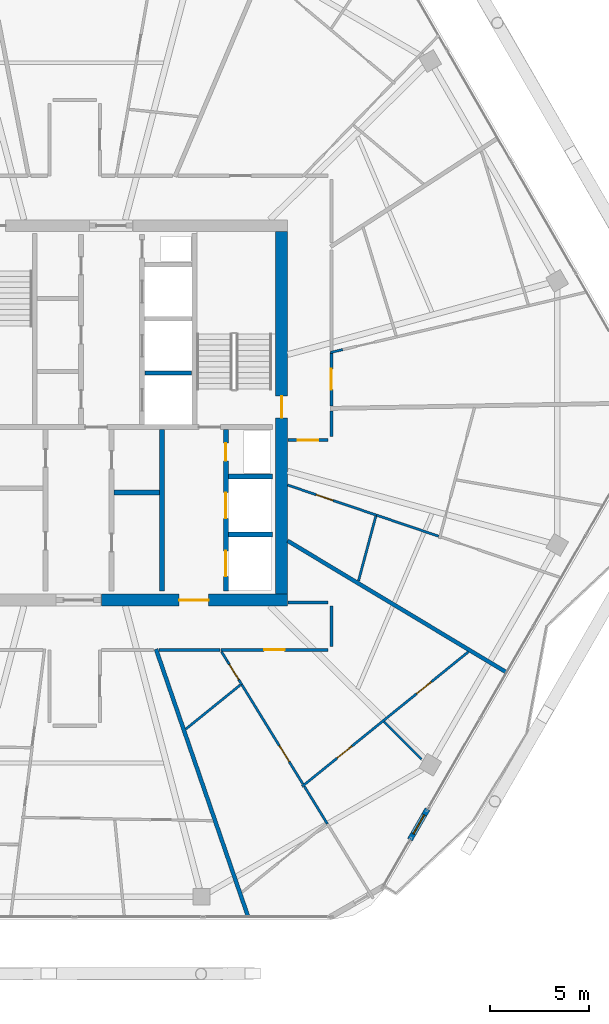
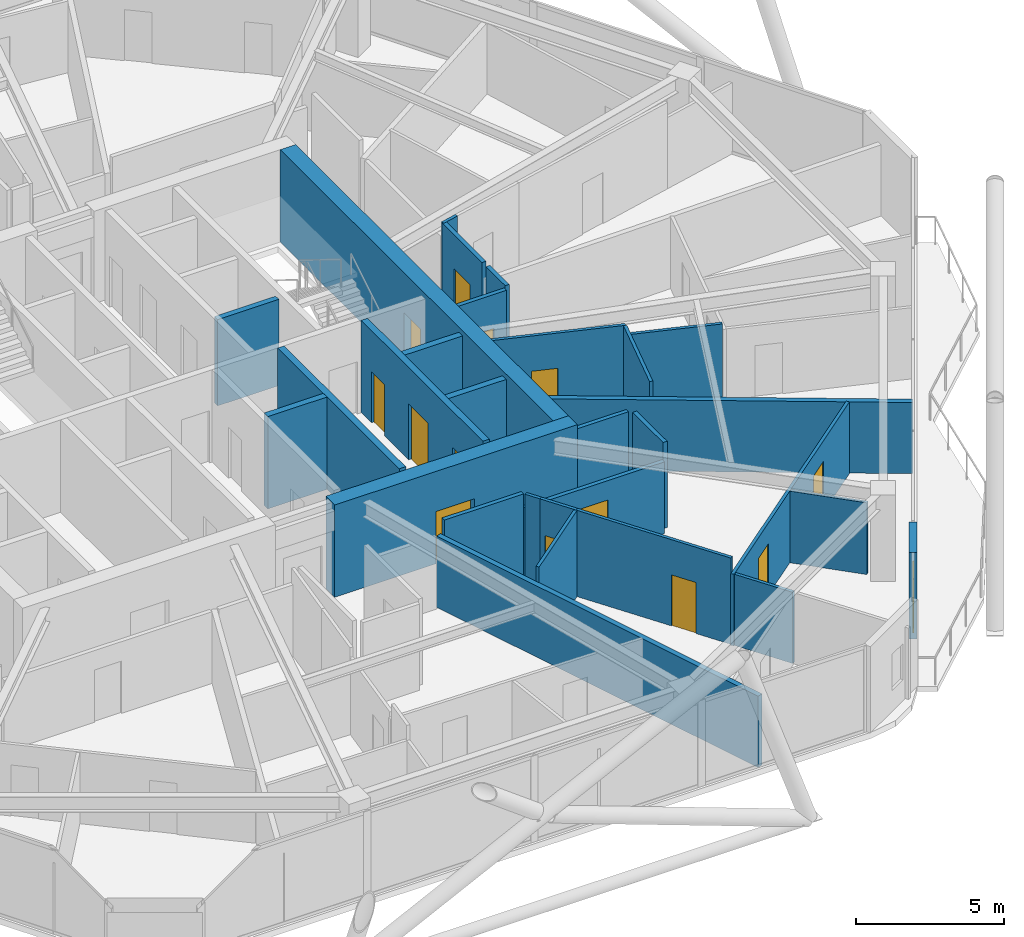
# One storey, part 22 of 29: 29 walls, 14 doors, 14 openings.
"""IFC4 building model written with IfcOpenShell, lengths in metres."""

from ifc_helpers import new_model, si_unit, direction, frame, frame_2d, origin, place, context, subcontext, project, spatial, rectangle, extrude, material, layer, layer_set, type_object, element, fill, save


model = new_model("IFC4")

# Units and contexts
model_context = context("Model", 3, precision=1e-05, world=origin(), true_north=direction((0.0, 1.0)))
body_context = subcontext(model_context, "Body", "Model", "MODEL_VIEW")
ifc_project = project(units=[si_unit("LENGTHUNIT", "METRE"), si_unit("AREAUNIT", "SQUARE_METRE"), si_unit("VOLUMEUNIT", "CUBIC_METRE"), si_unit("PLANEANGLEUNIT", "RADIAN"), si_unit("MASSUNIT", "GRAM", prefix="KILO")], contexts=[model_context])

# Site, building, storey
site_placement = place(None, origin())
site = spatial("IfcSite", under=ifc_project, at=site_placement, CompositionType="ELEMENT")
building_placement = place(site_placement, origin())
building = spatial("IfcBuilding", under=site, at=building_placement, Name="Zuhravey Tower", CompositionType="ELEMENT")
storey_placement = place(building_placement, frame((0.0, 0.0, 292.0)))
storey = spatial("IfcBuildingStorey", under=building, at=storey_placement, Name="L74", CompositionType="ELEMENT", Elevation=292.0)

# Wall, opening, door
ifc_material_1 = material(Name="Concrete C50/60", Category="concrete")
ifc_layer_1 = layer(ifc_material_1, 0.60009765625)
ifc_layer_set_1 = layer_set([ifc_layer_1], Name="Concrete C50/60")
wall_type_1 = type_object("IfcWallType", Name="Core Shear Wall 600", PredefinedType="SHEAR", material=ifc_layer_set_1)
wall_1_placement = place(storey_placement, frame((37.35009765625, 22.5, 0.0), z_axis=(0.0, 0.0, 1.0), x_axis=(1.0, 0.0, 0.0)))
wall_1 = element("IfcWall", 1, at=wall_1_placement, inside=storey, type_object=wall_type_1, Name="L74 South-East Core Shear Wall CW60", PredefinedType="SHEAR", context=body_context, shape_type="SweptSolid", body=[
    extrude(rectangle(XDim=9.449951171875, YDim=0.60009765625, at=frame_2d((4.72509765625, 0.0))), origin(), (0.0, 0.0, 1.0), 3.800048828125),
])
opening_1_placement = place(wall_1_placement, frame((3.949951171875, 0.0, 0.0)))
opening_1 = element("IfcOpeningElement", 2, at=opening_1_placement, cuts=wall_1, Name="Opening FFD1", PredefinedType="OPENING", context=body_context, shape_type="SweptSolid", body=[
    extrude(rectangle(XDim=1.5, YDim=2.14990234375, at=frame_2d((0.75, 1.074951171875))), frame((0.0, 0.31201171875, 0.0), z_axis=(0.0, -1.0, 0.0), x_axis=(1.0, 0.0, 0.0)), (0.0, 0.0, 1.0), 0.6240234375),
])
ifc_material_2 = material(Name="Galvanised fire-rated steel leaf", Category="steel")
door_type_1 = type_object("IfcDoorType", Name="Firefighting Lobby Double Door 1500x2150", OperationType="DOUBLE_DOOR_SINGLE_SWING", PredefinedType="DOOR", material=ifc_material_2)
door_1_placement = place(opening_1_placement, origin())
door_1 = element("IfcDoor", 3, at=door_1_placement, inside=storey, type_object=door_type_1, Name="L74 Firefighting Lobby East Door", OperationType="DOUBLE_DOOR_SINGLE_SWING", OverallHeight=2.14990234375, OverallWidth=1.5, PredefinedType="DOOR", context=body_context, shape_type="SweptSolid", body=[
    extrude(rectangle(XDim=1.5, YDim=2.14990234375, at=frame_2d((0.75, 1.074951171875))), frame((0.0, 0.02490234375, 0.0), z_axis=(0.0, -1.0, 0.0), x_axis=(1.0, 0.0, 0.0)), (0.0, 0.0, 1.0), 0.050048828125),
])
fill(opening_1, door_1)

wall_2_placement = place(storey_placement, frame((46.5, 22.800048828125, 0.0), z_axis=(0.0, 0.0, 1.0), x_axis=(0.0, 1.0, 0.0)))
wall_2 = element("IfcWall", 4, at=wall_2_placement, inside=storey, type_object=wall_type_1, Name="L74 East Core Shear Wall CW60", PredefinedType="SHEAR", context=body_context, shape_type="SweptSolid", body=[
    extrude(rectangle(XDim=18.39990234375, YDim=0.60009765625, at=frame_2d((9.199951171875, 0.0))), origin(), (0.0, 0.0, 1.0), 3.800048828125),
])
opening_2_placement = place(wall_2_placement, frame((8.949951171875, 0.0, 0.0)))
opening_2 = element("IfcOpeningElement", 5, at=opening_2_placement, cuts=wall_2, Name="Opening STD1", PredefinedType="OPENING", context=body_context, shape_type="SweptSolid", body=[
    extrude(rectangle(XDim=1.10009765625, YDim=2.14990234375, at=frame_2d((0.550048828125, 1.074951171875))), frame((0.0, 0.31201171875, 0.0), z_axis=(0.0, -1.0, 0.0), x_axis=(1.0, 0.0, 0.0)), (0.0, 0.0, 1.0), 0.6240234375),
])
door_type_2 = type_object("IfcDoorType", Name="Protected Stair Fire Door 1100x2150", OperationType="NOTDEFINED", PredefinedType="USERDEFINED", material=ifc_material_2)
door_2_placement = place(opening_2_placement, origin())
door_2 = element("IfcDoor", 6, at=door_2_placement, inside=storey, type_object=door_type_2, Name="L74 Stair ST2 Door", ObjectType="EXITDOOR", OperationType="SINGLE_SWING_LEFT", OverallHeight=2.14990234375, OverallWidth=1.10009765625, PredefinedType="USERDEFINED", context=body_context, shape_type="SweptSolid", body=[
    extrude(rectangle(XDim=1.10009765625, YDim=2.14990234375, at=frame_2d((0.550048828125, 1.074951171875))), frame((0.0, 0.02490234375, 0.0), z_axis=(0.0, -1.0, 0.0), x_axis=(1.0, 0.0, 0.0)), (0.0, 0.0, 1.0), 0.050048828125),
])
fill(opening_2, door_2)

ifc_material_3 = material(Name="Gypsum fire-rated stud partition")
ifc_layer_2 = layer(ifc_material_3, 0.159912109375)
ifc_layer_set_2 = layer_set([ifc_layer_2], Name="Gypsum fire-rated stud partition")
wall_type_2 = type_object("IfcWallType", Name="Corridor Fire Partition 160", PredefinedType="PARTITIONING", material=ifc_layer_set_2)
wall_3_placement = place(storey_placement, frame((43.42138671875, 19.969970703125, 0.0), z_axis=(0.0, 0.0, 1.0), x_axis=(1.0, 0.0, 0.0)))
wall_3 = element("IfcWall", 7, at=wall_3_placement, inside=storey, type_object=wall_type_2, Name="L74 IW16 Partition 042", PredefinedType="PARTITIONING", context=body_context, shape_type="SweptSolid", body=[
    extrude(rectangle(XDim=5.4287109375, YDim=0.159912109375, at=frame_2d((2.71435546875, 0.0))), origin(), (0.0, 0.0, 1.0), 2.949951171875),
])
opening_3_placement = place(wall_3_placement, frame((2.189208984375, 0.0, 0.0)))
opening_3 = element("IfcOpeningElement", 8, at=opening_3_placement, cuts=wall_3, Name="Opening APD1", PredefinedType="OPENING", context=body_context, shape_type="SweptSolid", body=[
    extrude(rectangle(XDim=1.050048828125, YDim=2.14990234375, at=frame_2d((0.52490234375, 1.074951171875))), frame((0.0, 0.092041015625, 0.0), z_axis=(0.0, -1.0, 0.0), x_axis=(1.0, 0.0, 0.0)), (0.0, 0.0, 1.0), 0.183837890625),
])
ifc_material_4 = material(Name="Solid-core oak fire-rated leaf")
door_type_3 = type_object("IfcDoorType", Name="Apartment Entrance Fire Door 1050x2150", OperationType="NOTDEFINED", PredefinedType="DOOR", material=ifc_material_4)
door_3_placement = place(opening_3_placement, frame((1.050048828125, 0.0, 0.0), z_axis=(0.0, 0.0, 1.0), x_axis=(-1.0, 0.0, 0.0)))
door_3 = element("IfcDoor", 9, at=door_3_placement, inside=storey, type_object=door_type_3, Name="L74 Door 042.1", OperationType="SINGLE_SWING_RIGHT", OverallHeight=2.14990234375, OverallWidth=1.050048828125, PredefinedType="DOOR", context=body_context, shape_type="SweptSolid", body=[
    extrude(rectangle(XDim=1.050048828125, YDim=2.14990234375, at=frame_2d((0.52490234375, 1.074951171875))), frame((0.0, 0.02490234375, 0.0), z_axis=(0.0, -1.0, 0.0), x_axis=(1.0, 0.0, 0.0)), (0.0, 0.0, 1.0), 0.050048828125),
])
fill(opening_3, door_3)

wall_4_placement = place(storey_placement, frame((46.820068359375, 30.6201171875, 0.0), z_axis=(0.0, 0.0, 1.0), x_axis=(1.0, 0.0, 0.0)))
wall_4 = element("IfcWall", 10, at=wall_4_placement, inside=storey, type_object=wall_type_2, Name="L74 IW16 Partition 047", PredefinedType="PARTITIONING", context=body_context, shape_type="SweptSolid", body=[
    extrude(rectangle(XDim=2.030029296875, YDim=0.159912109375, at=frame_2d((1.01513671875, 0.0))), origin(), (0.0, 0.0, 1.0), 3.550048828125),
])
opening_4_placement = place(wall_4_placement, frame((0.489990234375, 0.0, 0.0)))
opening_4 = element("IfcOpeningElement", 11, at=opening_4_placement, cuts=wall_4, Name="Opening APD1", PredefinedType="OPENING", context=body_context, shape_type="SweptSolid", body=[
    extrude(rectangle(XDim=1.050048828125, YDim=2.14990234375, at=frame_2d((0.52490234375, 1.074951171875))), frame((0.0, 0.092041015625, 0.0), z_axis=(0.0, -1.0, 0.0), x_axis=(1.0, 0.0, 0.0)), (0.0, 0.0, 1.0), 0.183837890625),
])
door_4_placement = place(opening_4_placement, frame((1.050048828125, 0.0, 0.0), z_axis=(0.0, 0.0, 1.0), x_axis=(-1.0, 0.0, 0.0)))
door_4 = element("IfcDoor", 12, at=door_4_placement, inside=storey, type_object=door_type_3, Name="L74 Door 047.1", OperationType="SINGLE_SWING_LEFT", OverallHeight=2.14990234375, OverallWidth=1.050048828125, PredefinedType="DOOR", context=body_context, shape_type="SweptSolid", body=[
    extrude(rectangle(XDim=1.050048828125, YDim=2.14990234375, at=frame_2d((0.52490234375, 1.074951171875))), frame((0.0, 0.02490234375, 0.0), z_axis=(0.0, -1.0, 0.0), x_axis=(1.0, 0.0, 0.0)), (0.0, 0.0, 1.0), 0.050048828125),
])
fill(opening_4, door_4)

wall_5_placement = place(storey_placement, frame((49.030029296875, 32.361083984375, 0.0), z_axis=(0.0, 0.0, 1.0), x_axis=(0.0, 1.0, 0.0)))
wall_5 = element("IfcWall", 13, at=wall_5_placement, inside=storey, type_object=wall_type_2, Name="L74 IW16 Partition 051", PredefinedType="PARTITIONING", context=body_context, shape_type="SweptSolid", body=[
    extrude(rectangle(XDim=2.693603515625, YDim=0.159912109375, at=frame_2d((1.3466796875, 0.0))), origin(), (0.0, 0.0, 1.0), 3.550048828125),
])
opening_5_placement = place(wall_5_placement, frame((0.82177734375, 0.0, 0.0)))
opening_5 = element("IfcOpeningElement", 14, at=opening_5_placement, cuts=wall_5, Name="Opening APD1", PredefinedType="OPENING", context=body_context, shape_type="SweptSolid", body=[
    extrude(rectangle(XDim=1.050048828125, YDim=2.14990234375, at=frame_2d((0.52490234375, 1.074951171875))), frame((0.0, 0.092041015625, 0.0), z_axis=(0.0, -1.0, 0.0), x_axis=(1.0, 0.0, 0.0)), (0.0, 0.0, 1.0), 0.183837890625),
])
door_5_placement = place(opening_5_placement, frame((1.050048828125, 0.0, 0.0), z_axis=(0.0, 0.0, 1.0), x_axis=(-1.0, 0.0, 0.0)))
door_5 = element("IfcDoor", 15, at=door_5_placement, inside=storey, type_object=door_type_3, Name="L74 Door 051.1", OperationType="SINGLE_SWING_LEFT", OverallHeight=2.14990234375, OverallWidth=1.050048828125, PredefinedType="DOOR", context=body_context, shape_type="SweptSolid", body=[
    extrude(rectangle(XDim=1.050048828125, YDim=2.14990234375, at=frame_2d((0.52490234375, 1.074951171875))), frame((0.0, 0.02490234375, 0.0), z_axis=(0.0, -1.0, 0.0), x_axis=(1.0, 0.0, 0.0)), (0.0, 0.0, 1.0), 0.050048828125),
])
fill(opening_5, door_5)

# Walls
wall_6_placement = place(storey_placement, frame((49.030029296875, 20.14990234375, 0.0), z_axis=(0.0, 0.0, 1.0), x_axis=(0.0, 1.0, 0.0)))
element("IfcWall", 16, at=wall_6_placement, inside=storey, type_object=wall_type_2, Name="L74 IW16 Partition 119", PredefinedType="PARTITIONING", context=body_context, shape_type="SweptSolid", body=[
    extrude(rectangle(XDim=2.050048828125, YDim=0.159912109375, at=frame_2d((1.02490234375, 0.0))), origin(), (0.0, 0.0, 1.0), 3.550048828125),
])
wall_7_placement = place(storey_placement, frame((48.85009765625, 22.3798828125, 0.0), z_axis=(0.0, 0.0, 1.0), x_axis=(-1.0, 0.0, 0.0)))
element("IfcWall", 17, at=wall_7_placement, inside=storey, type_object=wall_type_2, Name="L74 IW16 Partition 120", PredefinedType="PARTITIONING", context=body_context, shape_type="SweptSolid", body=[
    extrude(rectangle(XDim=2.030029296875, YDim=0.159912109375, at=frame_2d((1.01513671875, 0.0))), origin(), (0.0, 0.0, 1.0), 3.550048828125),
])
wall_8_placement = place(storey_placement, frame((40.28125, 19.969970703125, 0.0), z_axis=(0.0, 0.0, 1.0), x_axis=(1.0, 0.0, 0.0)))
element("IfcWall", 18, at=wall_8_placement, inside=storey, type_object=wall_type_2, Name="L74 IW16 Partition 121", PredefinedType="PARTITIONING", context=body_context, shape_type="SweptSolid", body=[
    extrude(rectangle(XDim=3.09326171875, YDim=0.159912109375, at=frame_2d((1.546630859375, 0.0))), origin(), (0.0, 0.0, 1.0), 3.550048828125),
])
wall_9_placement = place(storey_placement, frame((49.030029296875, 30.800048828125, 0.0), z_axis=(0.0, 0.0, 1.0), x_axis=(0.0, 1.0, 0.0)))
element("IfcWall", 19, at=wall_9_placement, inside=storey, type_object=wall_type_2, Name="L74 IW16 Partition 122", PredefinedType="PARTITIONING", context=body_context, shape_type="SweptSolid", body=[
    extrude(rectangle(XDim=1.293701171875, YDim=0.159912109375, at=frame_2d((0.64697265625, 0.0))), origin(), (0.0, 0.0, 1.0), 3.550048828125),
])

# Wall, opening, door
ifc_material_5 = material(Name="Precast concrete C40/50", Category="concrete")
ifc_layer_3 = layer(ifc_material_5, 0.280029296875)
ifc_layer_set_3 = layer_set([ifc_layer_3], Name="Precast concrete C40/50")
wall_type_3 = type_object("IfcWallType", Name="Crown Architectural Wall 280", PredefinedType="SOLIDWALL", material=ifc_layer_set_3)
wall_10_placement = place(storey_placement, frame((53.909912109375, 11.8935546875, 0.0), z_axis=(0.0, 0.0, 1.0), x_axis=(-0.500041240653, -0.866001592173, 0.0)))
wall_10 = element("IfcWall", 20, at=wall_10_placement, inside=storey, type_object=wall_type_3, Name="L74 Face 6 Facade Pier EW28-1", PredefinedType="SOLIDWALL", context=body_context, shape_type="SweptSolid", body=[
    extrude(rectangle(XDim=1.789794921875, YDim=0.280029296875, at=frame_2d((0.89501953125, 0.0))), origin(), (0.0, 0.0, 1.0), 3.550048828125),
])
opening_6_placement = place(wall_10_placement, frame((0.344970703125, 0.0, 0.0)))
opening_6 = element("IfcOpeningElement", 21, at=opening_6_placement, cuts=wall_10, Name="Opening BLD1", PredefinedType="OPENING", context=body_context, shape_type="SweptSolid", body=[
    extrude(rectangle(XDim=1.10009765625, YDim=2.199951171875, at=frame_2d((0.550048828125, 1.10009765625))), frame((0.0, 0.152099609375, 0.0), z_axis=(0.0, -1.0, 0.0), x_axis=(1.0, 0.0, 0.0)), (0.0, 0.0, 1.0), 0.303955078125),
])
ifc_material_6 = material(Name="Thermally broken aluminium and low-E glass", Category="aluminium")
door_type_4 = type_object("IfcDoorType", Name="Balcony & Sky-Tray Glazed Door 1100x2200", OperationType="NOTDEFINED", PredefinedType="DOOR", material=ifc_material_6)
door_6_placement = place(opening_6_placement, frame((1.10009765625, 0.0, 0.0), z_axis=(0.0, 0.0, 1.0), x_axis=(-1.0, 0.0, 0.0)))
door_6 = element("IfcDoor", 22, at=door_6_placement, inside=storey, type_object=door_type_4, Name="L74 Face 6 Wave Balcony Door", OperationType="SINGLE_SWING_LEFT", OverallHeight=2.199951171875, OverallWidth=1.10009765625, PredefinedType="DOOR", context=body_context, shape_type="SweptSolid", body=[
    extrude(rectangle(XDim=1.10009765625, YDim=2.199951171875, at=frame_2d((0.550048828125, 1.10009765625))), frame((0.0, 0.02490234375, 0.0), z_axis=(0.0, -1.0, 0.0), x_axis=(1.0, 0.0, 0.0)), (0.0, 0.0, 1.0), 0.050048828125),
])
fill(opening_6, door_6)

# Walls
ifc_layer_4 = layer(ifc_material_1, 0.25)
ifc_layer_set_4 = layer_set([ifc_layer_4], Name="Concrete C50/60")
wall_type_4 = type_object("IfcWallType", Name="Firefighting Shaft & Stair Wall 250", PredefinedType="SOLIDWALL", material=ifc_layer_set_4)
wall_11_placement = place(storey_placement, frame((38.0, 27.949951171875, 0.0), z_axis=(0.0, 0.0, 1.0), x_axis=(1.0, 0.0, 0.0)))
element("IfcWall", 23, at=wall_11_placement, inside=storey, type_object=wall_type_4, Name="L74 FW25 Shaft Wall 014", PredefinedType="SOLIDWALL", context=body_context, shape_type="SweptSolid", body=[
    extrude(rectangle(XDim=2.300048828125, YDim=0.25, at=frame_2d((1.14990234375, 0.0))), origin(), (0.0, 0.0, 1.0), 3.800048828125),
])
wall_12_placement = place(storey_placement, frame((40.425048828125, 22.949951171875, 0.0), z_axis=(0.0, 0.0, 1.0), x_axis=(0.0, 1.0, 0.0)))
element("IfcWall", 24, at=wall_12_placement, inside=storey, type_object=wall_type_4, Name="L74 FW25 Shaft Wall 016", PredefinedType="SOLIDWALL", context=body_context, shape_type="SweptSolid", body=[
    extrude(rectangle(XDim=8.199951171875, YDim=0.25, at=frame_2d((4.10009765625, 0.0))), origin(), (0.0, 0.0, 1.0), 3.800048828125),
])
for number, where, z_axis, x_axis, name in (
    (25, (43.800048828125, 25.824951171875, 0.0), (0.0, 0.0, 1.0), (1.0, 0.0, 0.0), "L74 FW25 Shaft Wall 017"),
    (26, (43.800048828125, 28.77490234375, 0.0), (0.0, 0.0, 1.0), (1.0, 0.0, 0.0), "L74 FW25 Shaft Wall 018"),
):
    element("IfcWall", number, at=place(storey_placement, frame(where, z_axis=z_axis, x_axis=x_axis)), inside=storey, type_object=wall_type_4, Name=name, PredefinedType="SOLIDWALL", context=body_context, shape_type="SweptSolid", body=[
        extrude(rectangle(XDim=2.25, YDim=0.25, at=frame_2d((1.125, 0.0))), origin(), (0.0, 0.0, 1.0), 3.800048828125),
    ])

# Wall, openings, doors
wall_13_placement = place(storey_placement, frame((43.675048828125, 22.949951171875, 0.0), z_axis=(0.0, 0.0, 1.0), x_axis=(0.0, 1.0, 0.0)))
wall_13 = element("IfcWall", 27, at=wall_13_placement, inside=storey, type_object=wall_type_4, Name="L74 FW25 Shaft Wall 019", PredefinedType="SOLIDWALL", context=body_context, shape_type="SweptSolid", body=[
    extrude(rectangle(XDim=8.199951171875, YDim=0.25, at=frame_2d((4.10009765625, 0.0))), origin(), (0.0, 0.0, 1.0), 3.800048828125),
])
opening_7_placement = place(wall_13_placement, frame((0.75, 0.0, 0.0)))
opening_7 = element("IfcOpeningElement", 28, at=opening_7_placement, cuts=wall_13, Name="Opening LD2", PredefinedType="OPENING", context=body_context, shape_type="SweptSolid", body=[
    extrude(rectangle(XDim=1.300048828125, YDim=2.300048828125, at=frame_2d((0.64990234375, 1.14990234375))), frame((0.0, 0.136962890625, 0.0), z_axis=(0.0, -1.0, 0.0), x_axis=(1.0, 0.0, 0.0)), (0.0, 0.0, 1.0), 0.27392578125),
])
opening_8_placement = place(wall_13_placement, frame((3.699951171875, 0.0, 0.0)))
opening_8 = element("IfcOpeningElement", 29, at=opening_8_placement, cuts=wall_13, Name="Opening LD2", PredefinedType="OPENING", context=body_context, shape_type="SweptSolid", body=[
    extrude(rectangle(XDim=1.300048828125, YDim=2.300048828125, at=frame_2d((0.64990234375, 1.14990234375))), frame((0.0, 0.136962890625, 0.0), z_axis=(0.0, -1.0, 0.0), x_axis=(1.0, 0.0, 0.0)), (0.0, 0.0, 1.0), 0.27392578125),
])
opening_9_placement = place(wall_13_placement, frame((6.6201171875, 0.0, 0.0)))
opening_9 = element("IfcOpeningElement", 30, at=opening_9_placement, cuts=wall_13, Name="Opening RSD1", PredefinedType="OPENING", context=body_context, shape_type="SweptSolid", body=[
    extrude(rectangle(XDim=0.89990234375, YDim=2.10009765625, at=frame_2d((0.449951171875, 1.050048828125))), frame((0.0, 0.136962890625, 0.0), z_axis=(0.0, -1.0, 0.0), x_axis=(1.0, 0.0, 0.0)), (0.0, 0.0, 1.0), 0.27392578125),
])
ifc_material_7 = material(Name="Brushed stainless steel", Category="steel")
door_type_5 = type_object("IfcDoorType", Name="Freight & Stretcher Lift Sliding Door 1300x2300", OperationType="DOUBLE_DOOR_SLIDING", PredefinedType="DOOR", material=ifc_material_7)
door_7_placement = place(opening_7_placement, origin())
door_7 = element("IfcDoor", 31, at=door_7_placement, inside=storey, type_object=door_type_5, Name="L74 Lift FF2 Landing Door", OperationType="DOUBLE_DOOR_SLIDING", OverallHeight=2.300048828125, OverallWidth=1.300048828125, PredefinedType="DOOR", context=body_context, shape_type="SweptSolid", body=[
    extrude(rectangle(XDim=1.300048828125, YDim=2.300048828125, at=frame_2d((0.64990234375, 1.14990234375))), frame((0.0, 0.02490234375, 0.0), z_axis=(0.0, -1.0, 0.0), x_axis=(1.0, 0.0, 0.0)), (0.0, 0.0, 1.0), 0.050048828125),
])
fill(opening_7, door_7)
door_8_placement = place(opening_8_placement, origin())
door_8 = element("IfcDoor", 32, at=door_8_placement, inside=storey, type_object=door_type_5, Name="L74 Lift SV1 Landing Door", OperationType="DOUBLE_DOOR_SLIDING", OverallHeight=2.300048828125, OverallWidth=1.300048828125, PredefinedType="DOOR", context=body_context, shape_type="SweptSolid", body=[
    extrude(rectangle(XDim=1.300048828125, YDim=2.300048828125, at=frame_2d((0.64990234375, 1.14990234375))), frame((0.0, 0.02490234375, 0.0), z_axis=(0.0, -1.0, 0.0), x_axis=(1.0, 0.0, 0.0)), (0.0, 0.0, 1.0), 0.050048828125),
])
fill(opening_8, door_8)
ifc_material_8 = material(Name="Galvanised fire-rated steel access leaf", Category="steel")
door_type_6 = type_object("IfcDoorType", Name="Riser & Shaft Access Fire Door 900x2100", OperationType="NOTDEFINED", PredefinedType="DOOR", material=ifc_material_8)
door_9_placement = place(opening_9_placement, origin())
door_9 = element("IfcDoor", 33, at=door_9_placement, inside=storey, type_object=door_type_6, Name="L74 Plumbing Riser Door", OperationType="SINGLE_SWING_RIGHT", OverallHeight=2.10009765625, OverallWidth=0.89990234375, PredefinedType="DOOR", context=body_context, shape_type="SweptSolid", body=[
    extrude(rectangle(XDim=0.89990234375, YDim=2.10009765625, at=frame_2d((0.449951171875, 1.050048828125))), frame((0.0, 0.02490234375, 0.0), z_axis=(0.0, -1.0, 0.0), x_axis=(1.0, 0.0, 0.0)), (0.0, 0.0, 1.0), 0.050048828125),
])
fill(opening_9, door_9)

# Walls
ifc_material_9 = material(Name="Gypsum double-stud party assembly")
ifc_layer_5 = layer(ifc_material_9, 0.199951171875)
ifc_layer_set_5 = layer_set([ifc_layer_5], Name="Gypsum double-stud party assembly")
wall_type_5 = type_object("IfcWallType", Name="Inter-Tenancy Party Wall 200", PredefinedType="PARTITIONING", material=ifc_layer_set_5)
wall_14_placement = place(storey_placement, frame((40.12841796875, 20.010009765625, 0.0), z_axis=(0.0, 0.0, 1.0), x_axis=(0.325569269748, -0.945518191573, 0.0)))
element("IfcWall", 34, at=wall_14_placement, inside=storey, type_object=wall_type_5, Name="L74 IW20 Partition 084", PredefinedType="PARTITIONING", context=body_context, shape_type="SweptSolid", body=[
    extrude(rectangle(XDim=14.35595703125, YDim=0.199951171875, at=frame_2d((7.177978515625, 0.0))), origin(), (0.0, 0.0, 1.0), 2.929931640625),
])
wall_15_placement = place(storey_placement, frame((46.80810546875, 25.505859375, 0.0), z_axis=(0.0, 0.0, 1.0), x_axis=(0.85716526059, -0.515041470212, 0.0)))
element("IfcWall", 35, at=wall_15_placement, inside=storey, type_object=wall_type_5, Name="L74 IW20 Partition 089", PredefinedType="PARTITIONING", context=body_context, shape_type="SweptSolid", body=[
    extrude(rectangle(XDim=12.958251953125, YDim=0.199951171875, at=frame_2d((6.47900390625, 0.0))), origin(), (0.0, 0.0, 1.0), 2.929931640625),
])
ifc_material_10 = material(Name="Gypsum acoustic stud assembly")
ifc_layer_6 = layer(ifc_material_10, 0.219970703125)
ifc_layer_set_6 = layer_set([ifc_layer_6], Name="Gypsum acoustic stud assembly")
wall_type_6 = type_object("IfcWallType", Name="School Acoustic Compartment Wall 220", PredefinedType="PARTITIONING", material=ifc_layer_set_6)
wall_16_placement = place(storey_placement, frame((39.55810546875, 34.02490234375, 0.0), z_axis=(0.0, 0.0, 1.0), x_axis=(1.0, 0.0, 0.0)))
element("IfcWall", 36, at=wall_16_placement, inside=storey, type_object=wall_type_6, Name="L74 IW22 Partition 067", PredefinedType="PARTITIONING", context=body_context, shape_type="SweptSolid", body=[
    extrude(rectangle(XDim=2.3837890625, YDim=0.219970703125, at=frame_2d((1.19189453125, 0.0))), origin(), (0.0, 0.0, 1.0), 3.550048828125),
])

# Wall, openings, doors
ifc_material_11 = material(Name="Gypsum metal-stud partition")
ifc_layer_7 = layer(ifc_material_11, 0.1201171875)
ifc_layer_set_7 = layer_set([ifc_layer_7], Name="Gypsum metal-stud partition")
wall_type_7 = type_object("IfcWallType", Name="Unit Internal Partition 120", PredefinedType="PARTITIONING", material=ifc_layer_set_7)
wall_17_placement = place(storey_placement, frame((47.54150390625, 13.04150390625, 0.0), z_axis=(0.0, 0.0, 1.0), x_axis=(0.777147459209, 0.629318541476, 0.0)))
wall_17 = element("IfcWall", 37, at=wall_17_placement, inside=storey, type_object=wall_type_7, Name="L74 IW12 Partition 037", PredefinedType="PARTITIONING", context=body_context, shape_type="SweptSolid", body=[
    extrude(rectangle(XDim=10.85693359375, YDim=0.1201171875, at=frame_2d((5.428466796875, 0.0))), origin(), (0.0, 0.0, 1.0), 2.949951171875),
])
opening_10_placement = place(wall_17_placement, frame((2.291259765625, 0.0, 0.0)))
opening_10 = element("IfcOpeningElement", 38, at=opening_10_placement, cuts=wall_17, Name="Opening IND1", PredefinedType="OPENING", context=body_context, shape_type="SweptSolid", body=[
    extrude(rectangle(XDim=0.949951171875, YDim=2.10009765625, at=frame_2d((0.47509765625, 1.050048828125))), frame((0.0, 0.072021484375, 0.0), z_axis=(0.0, -1.0, 0.0), x_axis=(1.0, 0.0, 0.0)), (0.0, 0.0, 1.0), 0.14404296875),
])
opening_11_placement = place(wall_17_placement, frame((7.479248046875, 0.0, 0.0)))
opening_11 = element("IfcOpeningElement", 39, at=opening_11_placement, cuts=wall_17, Name="Opening IND1", PredefinedType="OPENING", context=body_context, shape_type="SweptSolid", body=[
    extrude(rectangle(XDim=0.949951171875, YDim=2.10009765625, at=frame_2d((0.47509765625, 1.050048828125))), frame((0.0, 0.072021484375, 0.0), z_axis=(0.0, -1.0, 0.0), x_axis=(1.0, 0.0, 0.0)), (0.0, 0.0, 1.0), 0.14404296875),
])
ifc_material_12 = material(Name="Painted engineered timber leaf", Category="wood")
door_type_7 = type_object("IfcDoorType", Name="Internal Room & Bedroom Door 950x2100", OperationType="NOTDEFINED", PredefinedType="DOOR", material=ifc_material_12)
door_10_placement = place(opening_10_placement, frame((0.949951171875, 0.0, 0.0), z_axis=(0.0, 0.0, 1.0), x_axis=(-1.0, 0.0, 0.0)))
door_10 = element("IfcDoor", 40, at=door_10_placement, inside=storey, type_object=door_type_7, Name="Apartment L74-04 Family Study Door", OperationType="SINGLE_SWING_LEFT", OverallHeight=2.10009765625, OverallWidth=0.949951171875, PredefinedType="DOOR", context=body_context, shape_type="SweptSolid", body=[
    extrude(rectangle(XDim=0.949951171875, YDim=2.10009765625, at=frame_2d((0.47509765625, 1.050048828125))), frame((0.0, 0.02490234375, 0.0), z_axis=(0.0, -1.0, 0.0), x_axis=(1.0, 0.0, 0.0)), (0.0, 0.0, 1.0), 0.050048828125),
])
fill(opening_10, door_10)
door_11_placement = place(opening_11_placement, frame((0.949951171875, 0.0, 0.0), z_axis=(0.0, 0.0, 1.0), x_axis=(-1.0, 0.0, 0.0)))
door_11 = element("IfcDoor", 41, at=door_11_placement, inside=storey, type_object=door_type_7, Name="Apartment L74-04 Dining Room Door", OperationType="SINGLE_SWING_RIGHT", OverallHeight=2.10009765625, OverallWidth=0.949951171875, PredefinedType="DOOR", context=body_context, shape_type="SweptSolid", body=[
    extrude(rectangle(XDim=0.949951171875, YDim=2.10009765625, at=frame_2d((0.47509765625, 1.050048828125))), frame((0.0, 0.02490234375, 0.0), z_axis=(0.0, -1.0, 0.0), x_axis=(1.0, 0.0, 0.0)), (0.0, 0.0, 1.0), 0.050048828125),
])
fill(opening_11, door_11)

# Wall, opening, door
wall_18_placement = place(storey_placement, frame((43.74853515625, 19.39990234375, 0.0), z_axis=(0.0, 0.0, 1.0), x_axis=(0.523959986515, -0.851742879355, 0.0)))
wall_18 = element("IfcWall", 42, at=wall_18_placement, inside=storey, type_object=wall_type_7, Name="L74 IW12 Partition 038", PredefinedType="PARTITIONING", context=body_context, shape_type="SweptSolid", body=[
    extrude(rectangle(XDim=1.3876953125, YDim=0.1201171875, at=frame_2d((0.69384765625, 0.0))), origin(), (0.0, 0.0, 1.0), 3.550048828125),
])
opening_12_placement = place(wall_18_placement, frame((0.199951171875, 0.0, 0.0)))
opening_12 = element("IfcOpeningElement", 43, at=opening_12_placement, cuts=wall_18, Name="Opening WCD1", PredefinedType="OPENING", context=body_context, shape_type="SweptSolid", body=[
    extrude(rectangle(XDim=0.89990234375, YDim=2.10009765625, at=frame_2d((0.449951171875, 1.050048828125))), frame((0.0, 0.072021484375, 0.0), z_axis=(0.0, -1.0, 0.0), x_axis=(1.0, 0.0, 0.0)), (0.0, 0.0, 1.0), 0.14404296875),
])
ifc_material_13 = material(Name="Moisture-resistant timber leaf", Category="wood")
door_type_8 = type_object("IfcDoorType", Name="Bathroom & WC Internal Door 900x2100", OperationType="NOTDEFINED", PredefinedType="DOOR", material=ifc_material_13)
door_12_placement = place(opening_12_placement, frame((0.89990234375, 0.0, 0.0), z_axis=(0.0, 0.0, 1.0), x_axis=(-1.0, 0.0, 0.0)))
door_12 = element("IfcDoor", 44, at=door_12_placement, inside=storey, type_object=door_type_8, Name="Apartment L74-04 Bathroom Door", OperationType="SINGLE_SWING_LEFT", OverallHeight=2.10009765625, OverallWidth=0.89990234375, PredefinedType="DOOR", context=body_context, shape_type="SweptSolid", body=[
    extrude(rectangle(XDim=0.89990234375, YDim=2.10009765625, at=frame_2d((0.449951171875, 1.050048828125))), frame((0.0, 0.02490234375, 0.0), z_axis=(0.0, -1.0, 0.0), x_axis=(1.0, 0.0, 0.0)), (0.0, 0.0, 1.0), 0.050048828125),
])
fill(opening_12, door_12)

wall_19_placement = place(storey_placement, frame((44.4755859375, 18.218017578125, 0.0), z_axis=(0.0, 0.0, 1.0), x_axis=(0.523831119105, -0.851822140272, 0.0)))
wall_19 = element("IfcWall", 45, at=wall_19_placement, inside=storey, type_object=wall_type_7, Name="L74 IW12 Partition 039", PredefinedType="PARTITIONING", context=body_context, shape_type="SweptSolid", body=[
    extrude(rectangle(XDim=5.93408203125, YDim=0.1201171875, at=frame_2d((2.967041015625, 0.0))), origin(), (0.0, 0.0, 1.0), 3.550048828125),
])
opening_13_placement = place(wall_19_placement, frame((3.650390625, 0.0, 0.0)))
opening_13 = element("IfcOpeningElement", 46, at=opening_13_placement, cuts=wall_19, Name="Opening IND1", PredefinedType="OPENING", context=body_context, shape_type="SweptSolid", body=[
    extrude(rectangle(XDim=0.949951171875, YDim=2.10009765625, at=frame_2d((0.47509765625, 1.050048828125))), frame((0.0, 0.072021484375, 0.0), z_axis=(0.0, -1.0, 0.0), x_axis=(1.0, 0.0, 0.0)), (0.0, 0.0, 1.0), 0.14404296875),
])
door_13_placement = place(opening_13_placement, frame((0.949951171875, 0.0, 0.0), z_axis=(0.0, 0.0, 1.0), x_axis=(-1.0, 0.0, 0.0)))
door_13 = element("IfcDoor", 47, at=door_13_placement, inside=storey, type_object=door_type_7, Name="Apartment L74-04 Home Office Door", OperationType="SINGLE_SWING_RIGHT", OverallHeight=2.10009765625, OverallWidth=0.949951171875, PredefinedType="DOOR", context=body_context, shape_type="SweptSolid", body=[
    extrude(rectangle(XDim=0.949951171875, YDim=2.10009765625, at=frame_2d((0.47509765625, 1.050048828125))), frame((0.0, 0.02490234375, 0.0), z_axis=(0.0, -1.0, 0.0), x_axis=(1.0, 0.0, 0.0)), (0.0, 0.0, 1.0), 0.050048828125),
])
fill(opening_13, door_13)

# Wall
wall_20_placement = place(storey_placement, frame((47.65576171875, 13.04638671875, 0.0), z_axis=(0.0, 0.0, 1.0), x_axis=(0.523853024062, -0.851808669351, 0.0)))
element("IfcWall", 48, at=wall_20_placement, inside=storey, type_object=wall_type_7, Name="L74 IW12 Partition 040", PredefinedType="PARTITIONING", context=body_context, shape_type="SweptSolid", body=[
    extrude(rectangle(XDim=2.2294921875, YDim=0.1201171875, at=frame_2d((1.11474609375, 0.0))), origin(), (0.0, 0.0, 1.0), 2.929931640625),
])

# Wall, opening, door
wall_21_placement = place(storey_placement, frame((46.80810546875, 28.33740234375, 0.0), z_axis=(0.0, 0.0, 1.0), x_axis=(0.947109682019, -0.320910034474, 0.0)))
wall_21 = element("IfcWall", 49, at=wall_21_placement, inside=storey, type_object=wall_type_7, Name="L74 IW12 Partition 044", PredefinedType="PARTITIONING", context=body_context, shape_type="SweptSolid", body=[
    extrude(rectangle(XDim=4.76708984375, YDim=0.1201171875, at=frame_2d((2.383544921875, 0.0))), origin(), (0.0, 0.0, 1.0), 3.550048828125),
])
opening_14_placement = place(wall_21_placement, frame((1.53271484375, 0.0, 0.0)))
opening_14 = element("IfcOpeningElement", 50, at=opening_14_placement, cuts=wall_21, Name="Opening WCD1", PredefinedType="OPENING", context=body_context, shape_type="SweptSolid", body=[
    extrude(rectangle(XDim=0.89990234375, YDim=2.10009765625, at=frame_2d((0.449951171875, 1.050048828125))), frame((0.0, 0.072021484375, 0.0), z_axis=(0.0, -1.0, 0.0), x_axis=(1.0, 0.0, 0.0)), (0.0, 0.0, 1.0), 0.14404296875),
])
door_14_placement = place(opening_14_placement, frame((0.89990234375, 0.0, 0.0), z_axis=(0.0, 0.0, 1.0), x_axis=(-1.0, 0.0, 0.0)))
door_14 = element("IfcDoor", 51, at=door_14_placement, inside=storey, type_object=door_type_8, Name="Apartment L74-05 Bathroom Door", OperationType="SINGLE_SWING_LEFT", OverallHeight=2.10009765625, OverallWidth=0.89990234375, PredefinedType="DOOR", context=body_context, shape_type="SweptSolid", body=[
    extrude(rectangle(XDim=0.89990234375, YDim=2.10009765625, at=frame_2d((0.449951171875, 1.050048828125))), frame((0.0, 0.02490234375, 0.0), z_axis=(0.0, -1.0, 0.0), x_axis=(1.0, 0.0, 0.0)), (0.0, 0.0, 1.0), 0.050048828125),
])
fill(opening_14, door_14)

# Walls
wall_22_placement = place(storey_placement, frame((51.322998046875, 26.8076171875, 0.0), z_axis=(0.0, 0.0, 1.0), x_axis=(0.947092742831, -0.320960023175, 0.0)))
element("IfcWall", 52, at=wall_22_placement, inside=storey, type_object=wall_type_7, Name="L74 IW12 Partition 045", PredefinedType="PARTITIONING", context=body_context, shape_type="SweptSolid", body=[
    extrude(rectangle(XDim=3.324951171875, YDim=0.1201171875, at=frame_2d((1.66259765625, 0.0))), origin(), (0.0, 0.0, 1.0), 3.14990234375),
])
wall_23_placement = place(storey_placement, frame((51.701904296875, 16.322998046875, 0.0), z_axis=(0.0, 0.0, 1.0), x_axis=(0.707607548717, -0.706605658765, 0.0)))
element("IfcWall", 53, at=wall_23_placement, inside=storey, type_object=wall_type_7, Name="L74 IW12 Partition 085", PredefinedType="PARTITIONING", context=body_context, shape_type="SweptSolid", body=[
    extrude(rectangle(XDim=2.680419921875, YDim=0.1201171875, at=frame_2d((1.34033203125, 0.0))), origin(), (0.0, 0.0, 1.0), 2.949951171875),
])
wall_24_placement = place(storey_placement, frame((43.4521484375, 19.882080078125, 0.0), z_axis=(0.0, 0.0, 1.0), x_axis=(0.52366415223, -0.851924794609, 0.0)))
element("IfcWall", 54, at=wall_24_placement, inside=storey, type_object=wall_type_7, Name="L74 IW12 Partition 086", PredefinedType="PARTITIONING", context=body_context, shape_type="SweptSolid", body=[
    extrude(rectangle(XDim=0.56591796875, YDim=0.1201171875, at=frame_2d((0.282958984375, 0.0))), origin(), (0.0, 0.0, 1.0), 3.550048828125),
])
wall_25_placement = place(storey_placement, frame((41.639404296875, 15.95361328125, 0.0), z_axis=(0.0, 0.0, 1.0), x_axis=(0.777152329868, 0.629312526636, 0.0)))
element("IfcWall", 55, at=wall_25_placement, inside=storey, type_object=wall_type_7, Name="L74 IW12 Partition 088", PredefinedType="PARTITIONING", context=body_context, shape_type="SweptSolid", body=[
    extrude(rectangle(XDim=3.563720703125, YDim=0.1201171875, at=frame_2d((1.78173828125, 0.0))), origin(), (0.0, 0.0, 1.0), 3.550048828125),
])
wall_26_placement = place(storey_placement, frame((50.4033203125, 23.4716796875, 0.0), z_axis=(0.0, 0.0, 1.0), x_axis=(0.25876844848, 0.965939382193, 0.0)))
element("IfcWall", 56, at=wall_26_placement, inside=storey, type_object=wall_type_7, Name="L74 IW12 Partition 091", PredefinedType="PARTITIONING", context=body_context, shape_type="SweptSolid", body=[
    extrude(rectangle(XDim=3.3935546875, YDim=0.1201171875, at=frame_2d((1.69677734375, 0.0))), origin(), (0.0, 0.0, 1.0), 3.550048828125),
])
wall_27_placement = place(storey_placement, frame((48.985595703125, 35.06494140625, 0.0), z_axis=(0.0, 0.0, 1.0), x_axis=(0.973264818569, 0.229685857064, 0.0)))
element("IfcWall", 57, at=wall_27_placement, inside=storey, type_object=wall_type_7, Name="L74 IW12 Partition 093", PredefinedType="PARTITIONING", context=body_context, shape_type="SweptSolid", body=[
    extrude(rectangle(XDim=0.63134765625, YDim=0.1201171875, at=frame_2d((0.315673828125, 0.0))), origin(), (0.0, 0.0, 1.0), 3.550048828125),
])

save(model, "model.ifc")
